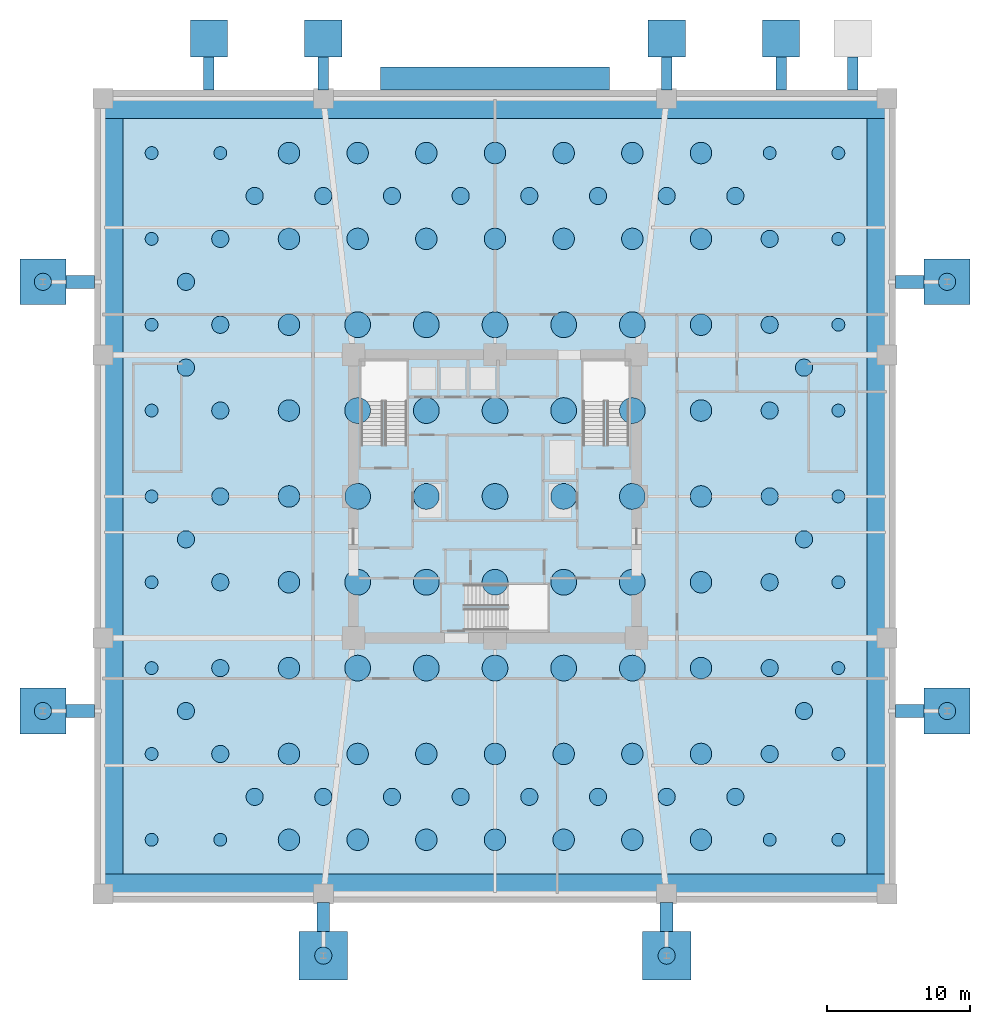
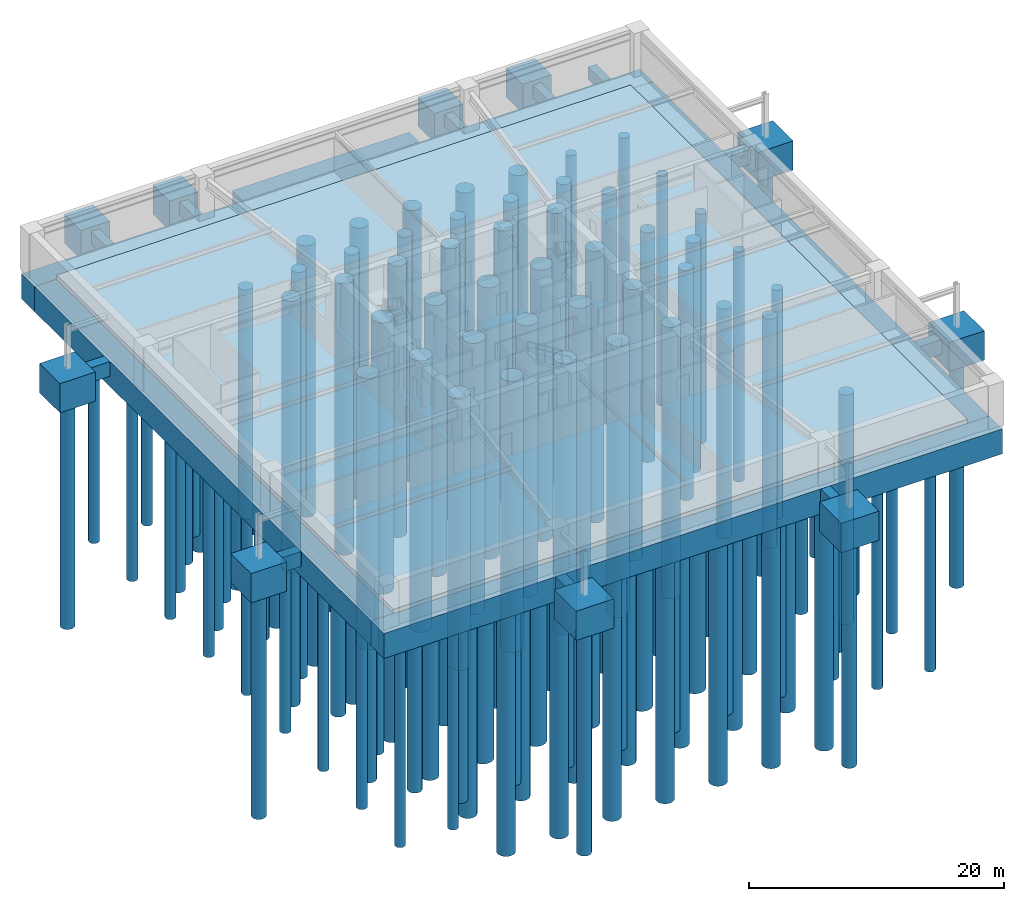
# One storey, part 1 of 8: 128 piles, 27 footings.
"""IFC4 building model written with IfcOpenShell, lengths in metres."""

from ifc_helpers import new_model, si_unit, direction, frame, origin, origin_2d, place, context, subcontext, project, spatial, polyline, circle, outline, extrude, material, material_profile, profile_set, type_object, element, save


model = new_model("IFC4")

# Units and contexts
model_context = context("Model", 3, precision=1e-05, world=origin(), true_north=direction((0.0, 1.0)))
body_context = subcontext(model_context, "Body", "Model", "MODEL_VIEW")
ifc_project = project(units=[si_unit("LENGTHUNIT", "METRE"), si_unit("AREAUNIT", "SQUARE_METRE"), si_unit("VOLUMEUNIT", "CUBIC_METRE"), si_unit("PLANEANGLEUNIT", "RADIAN"), si_unit("MASSUNIT", "GRAM", prefix="KILO")], contexts=[model_context])

# Site, building, storey
site_placement = place(None, origin())
site = spatial("IfcSite", under=ifc_project, at=site_placement, CompositionType="ELEMENT")
building_placement = place(site_placement, origin())
building = spatial("IfcBuilding", under=site, at=building_placement, Name="Kolvaren Belvedere", CompositionType="ELEMENT")
storey_placement = place(building_placement, frame((0.0, 0.0, -12.60009765625)))
storey = spatial("IfcBuildingStorey", under=building, at=storey_placement, Name="B03", CompositionType="ELEMENT", Elevation=-12.60009765625)

# Footings
ifc_material_1 = material(Name="Concrete C50/60", Category="concrete")
footing_type_1 = type_object("IfcFootingType", Name="FT-FB-750X1200", PredefinedType="FOOTING_BEAM", material=ifc_material_1)
footing_1_placement = place(storey_placement, frame((0.0, 0.0, -1.599853515625)))
element("IfcFooting", 1, at=footing_1_placement, inside=storey, type_object=footing_type_1, Name="North Foundation Tie Beam FB-N1", PredefinedType="FOOTING_BEAM", context=body_context, shape_type="SweptSolid", body=[
    extrude(outline(polyline([(-20.375, 28.39990234375), (-19.625, 28.39990234375), (-19.625, 30.699951171875), (-20.375, 30.699951171875), (-20.375, 28.39990234375)])), origin(), (0.0, 0.0, 1.0), 1.199951171875),
])
footing_2_placement = place(storey_placement, frame((0.0, 0.0, -1.599853515625)))
element("IfcFooting", 2, at=footing_2_placement, inside=storey, type_object=footing_type_1, Name="North Foundation Tie Beam FB-N2", PredefinedType="FOOTING_BEAM", context=body_context, shape_type="SweptSolid", body=[
    extrude(outline(polyline([(-12.375, 28.39990234375), (-11.625, 28.39990234375), (-11.625, 30.699951171875), (-12.375, 30.699951171875), (-12.375, 28.39990234375)])), origin(), (0.0, 0.0, 1.0), 1.199951171875),
])
footing_3_placement = place(storey_placement, frame((0.0, 0.0, -1.599853515625)))
element("IfcFooting", 3, at=footing_3_placement, inside=storey, type_object=footing_type_1, Name="North Foundation Tie Beam FB-N3", PredefinedType="FOOTING_BEAM", context=body_context, shape_type="SweptSolid", body=[
    extrude(outline(polyline([(11.625, 28.39990234375), (12.375, 28.39990234375), (12.375, 30.699951171875), (11.625, 30.699951171875), (11.625, 28.39990234375)])), origin(), (0.0, 0.0, 1.0), 1.199951171875),
])
footing_4_placement = place(storey_placement, frame((0.0, 0.0, -1.599853515625)))
element("IfcFooting", 4, at=footing_4_placement, inside=storey, type_object=footing_type_1, Name="North Foundation Tie Beam FB-N4", PredefinedType="FOOTING_BEAM", context=body_context, shape_type="SweptSolid", body=[
    extrude(outline(polyline([(19.625, 28.39990234375), (20.375, 28.39990234375), (20.375, 30.699951171875), (19.625, 30.699951171875), (19.625, 28.39990234375)])), origin(), (0.0, 0.0, 1.0), 1.199951171875),
])
footing_5_placement = place(storey_placement, frame((0.0, 0.0, -1.599853515625)))
element("IfcFooting", 5, at=footing_5_placement, inside=storey, type_object=footing_type_1, Name="North Foundation Tie Beam FB-N5", PredefinedType="FOOTING_BEAM", context=body_context, shape_type="SweptSolid", body=[
    extrude(outline(polyline([(24.625, 28.39990234375), (25.375, 28.39990234375), (25.375, 30.699951171875), (24.625, 30.699951171875), (24.625, 28.39990234375)])), origin(), (0.0, 0.0, 1.0), 1.199951171875),
])
ifc_material_2 = material(Name="Concrete C50/60", Category="concrete")
footing_type_2 = type_object("IfcFootingType", Name="FT-FB-900X1400", PredefinedType="FOOTING_BEAM", material=ifc_material_2)
footing_6_placement = place(storey_placement, frame((0.0, 0.0, -1.7998046875)))
element("IfcFooting", 6, at=footing_6_placement, inside=storey, type_object=footing_type_2, Name="Foundation Tie Beam FB-PAD-NW", PredefinedType="FOOTING_BEAM", context=body_context, shape_type="SweptSolid", body=[
    extrude(outline(polyline([(-30.0, 14.550048828125), (-28.0, 14.550048828125), (-28.0, 15.449951171875), (-30.0, 15.449951171875), (-30.0, 14.550048828125)])), origin(), (0.0, 0.0, 1.0), 1.39990234375),
])
footing_7_placement = place(storey_placement, frame((0.0, 0.0, -1.7998046875)))
element("IfcFooting", 7, at=footing_7_placement, inside=storey, type_object=footing_type_2, Name="Foundation Tie Beam FB-PAD-SW", PredefinedType="FOOTING_BEAM", context=body_context, shape_type="SweptSolid", body=[
    extrude(outline(polyline([(-30.0, -15.449951171875), (-28.0, -15.449951171875), (-28.0, -14.550048828125), (-30.0, -14.550048828125), (-30.0, -15.449951171875)])), origin(), (0.0, 0.0, 1.0), 1.39990234375),
])
footing_8_placement = place(storey_placement, frame((0.0, 0.0, -1.7998046875)))
element("IfcFooting", 8, at=footing_8_placement, inside=storey, type_object=footing_type_2, Name="Foundation Tie Beam FB-PAD-NE", PredefinedType="FOOTING_BEAM", context=body_context, shape_type="SweptSolid", body=[
    extrude(outline(polyline([(28.0, 14.550048828125), (30.0, 14.550048828125), (30.0, 15.449951171875), (28.0, 15.449951171875), (28.0, 14.550048828125)])), origin(), (0.0, 0.0, 1.0), 1.39990234375),
])
footing_9_placement = place(storey_placement, frame((0.0, 0.0, -1.7998046875)))
element("IfcFooting", 9, at=footing_9_placement, inside=storey, type_object=footing_type_2, Name="Foundation Tie Beam FB-PAD-SE", PredefinedType="FOOTING_BEAM", context=body_context, shape_type="SweptSolid", body=[
    extrude(outline(polyline([(28.0, -15.449951171875), (30.0, -15.449951171875), (30.0, -14.550048828125), (28.0, -14.550048828125), (28.0, -15.449951171875)])), origin(), (0.0, 0.0, 1.0), 1.39990234375),
])
footing_10_placement = place(storey_placement, frame((0.0, 0.0, -1.7998046875)))
element("IfcFooting", 10, at=footing_10_placement, inside=storey, type_object=footing_type_2, Name="Foundation Tie Beam FB-PAD-S1", PredefinedType="FOOTING_BEAM", context=body_context, shape_type="SweptSolid", body=[
    extrude(outline(polyline([(-12.449951171875, -30.39990234375), (-11.550048828125, -30.39990234375), (-11.550048828125, -28.39990234375), (-12.449951171875, -28.39990234375), (-12.449951171875, -30.39990234375)])), origin(), (0.0, 0.0, 1.0), 1.39990234375),
])
footing_11_placement = place(storey_placement, frame((0.0, 0.0, -1.7998046875)))
element("IfcFooting", 11, at=footing_11_placement, inside=storey, type_object=footing_type_2, Name="Foundation Tie Beam FB-PAD-S2", PredefinedType="FOOTING_BEAM", context=body_context, shape_type="SweptSolid", body=[
    extrude(outline(polyline([(11.550048828125, -30.39990234375), (12.449951171875, -30.39990234375), (12.449951171875, -28.39990234375), (11.550048828125, -28.39990234375), (11.550048828125, -30.39990234375)])), origin(), (0.0, 0.0, 1.0), 1.39990234375),
])
ifc_material_3 = material(Name="Concrete C50/60", Category="concrete")
footing_type_3 = type_object("IfcFootingType", Name="FT-MAT-2800", PredefinedType="PILE_CAP", material=ifc_material_3)
footing_12_placement = place(storey_placement, frame((0.0, 0.0, -2.7998046875)))
element("IfcFooting", 12, at=footing_12_placement, inside=storey, type_object=footing_type_3, Name="Tower Mat Raft Foundation MAT-1", PredefinedType="PILE_CAP", context=body_context, shape_type="SweptSolid", body=[
    extrude(outline(polyline([(-26.0, -26.39990234375), (26.0, -26.39990234375), (26.0, 26.39990234375), (-26.0, 26.39990234375), (-26.0, -26.39990234375)])), origin(), (0.0, 0.0, 1.0), 2.7998046875),
])
ifc_material_4 = material(Name="Concrete C50/60", Category="concrete")
footing_type_4 = type_object("IfcFootingType", Name="FT-PAD-2600", PredefinedType="PAD_FOOTING", material=ifc_material_4)
footing_13_placement = place(storey_placement, frame((0.0, 0.0, -2.7998046875)))
element("IfcFooting", 13, at=footing_13_placement, inside=storey, type_object=footing_type_4, Name="North Plaza Pad Footing N1", PredefinedType="PAD_FOOTING", context=body_context, shape_type="SweptSolid", body=[
    extrude(outline(polyline([(-21.300048828125, 30.699951171875), (-18.699951171875, 30.699951171875), (-18.699951171875, 33.300048828125), (-21.300048828125, 33.300048828125), (-21.300048828125, 30.699951171875)])), origin(), (0.0, 0.0, 1.0), 2.7998046875),
])
footing_14_placement = place(storey_placement, frame((0.0, 0.0, -2.7998046875)))
element("IfcFooting", 14, at=footing_14_placement, inside=storey, type_object=footing_type_4, Name="North Plaza Pad Footing N2", PredefinedType="PAD_FOOTING", context=body_context, shape_type="SweptSolid", body=[
    extrude(outline(polyline([(-13.300048828125, 30.699951171875), (-10.699951171875, 30.699951171875), (-10.699951171875, 33.300048828125), (-13.300048828125, 33.300048828125), (-13.300048828125, 30.699951171875)])), origin(), (0.0, 0.0, 1.0), 2.7998046875),
])
footing_15_placement = place(storey_placement, frame((0.0, 0.0, -2.7998046875)))
element("IfcFooting", 15, at=footing_15_placement, inside=storey, type_object=footing_type_4, Name="North Plaza Pad Footing N3", PredefinedType="PAD_FOOTING", context=body_context, shape_type="SweptSolid", body=[
    extrude(outline(polyline([(10.699951171875, 30.699951171875), (13.300048828125, 30.699951171875), (13.300048828125, 33.300048828125), (10.699951171875, 33.300048828125), (10.699951171875, 30.699951171875)])), origin(), (0.0, 0.0, 1.0), 2.7998046875),
])
footing_16_placement = place(storey_placement, frame((0.0, 0.0, -2.7998046875)))
element("IfcFooting", 16, at=footing_16_placement, inside=storey, type_object=footing_type_4, Name="North Plaza Pad Footing N4", PredefinedType="PAD_FOOTING", context=body_context, shape_type="SweptSolid", body=[
    extrude(outline(polyline([(18.699951171875, 30.699951171875), (21.300048828125, 30.699951171875), (21.300048828125, 33.300048828125), (18.699951171875, 33.300048828125), (18.699951171875, 30.699951171875)])), origin(), (0.0, 0.0, 1.0), 2.7998046875),
])
ifc_material_5 = material(Name="Concrete C50/60", Category="concrete")
footing_type_5 = type_object("IfcFootingType", Name="FT-PAD-3200", PredefinedType="PAD_FOOTING", material=ifc_material_5)
footing_17_placement = place(storey_placement, frame((0.0, 0.0, -2.7998046875)))
element("IfcFooting", 17, at=footing_17_placement, inside=storey, type_object=footing_type_5, Name="Exterior Portal Pad Footing PAD-NW", PredefinedType="PAD_FOOTING", context=body_context, shape_type="SweptSolid", body=[
    extrude(outline(polyline([(-33.199951171875, 13.39990234375), (-30.0, 13.39990234375), (-30.0, 16.60009765625), (-33.199951171875, 16.60009765625), (-33.199951171875, 13.39990234375)])), origin(), (0.0, 0.0, 1.0), 2.7998046875),
])
footing_18_placement = place(storey_placement, frame((0.0, 0.0, -2.7998046875)))
element("IfcFooting", 18, at=footing_18_placement, inside=storey, type_object=footing_type_5, Name="Exterior Portal Pad Footing PAD-SW", PredefinedType="PAD_FOOTING", context=body_context, shape_type="SweptSolid", body=[
    extrude(outline(polyline([(-33.199951171875, -16.60009765625), (-30.0, -16.60009765625), (-30.0, -13.39990234375), (-33.199951171875, -13.39990234375), (-33.199951171875, -16.60009765625)])), origin(), (0.0, 0.0, 1.0), 2.7998046875),
])
footing_19_placement = place(storey_placement, frame((0.0, 0.0, -2.7998046875)))
element("IfcFooting", 19, at=footing_19_placement, inside=storey, type_object=footing_type_5, Name="Exterior Portal Pad Footing PAD-NE", PredefinedType="PAD_FOOTING", context=body_context, shape_type="SweptSolid", body=[
    extrude(outline(polyline([(30.0, 13.39990234375), (33.199951171875, 13.39990234375), (33.199951171875, 16.60009765625), (30.0, 16.60009765625), (30.0, 13.39990234375)])), origin(), (0.0, 0.0, 1.0), 2.7998046875),
])
footing_20_placement = place(storey_placement, frame((0.0, 0.0, -2.7998046875)))
element("IfcFooting", 20, at=footing_20_placement, inside=storey, type_object=footing_type_5, Name="Exterior Portal Pad Footing PAD-SE", PredefinedType="PAD_FOOTING", context=body_context, shape_type="SweptSolid", body=[
    extrude(outline(polyline([(30.0, -16.60009765625), (33.199951171875, -16.60009765625), (33.199951171875, -13.39990234375), (30.0, -13.39990234375), (30.0, -16.60009765625)])), origin(), (0.0, 0.0, 1.0), 2.7998046875),
])
ifc_material_6 = material(Name="Concrete C50/60", Category="concrete")
footing_type_6 = type_object("IfcFootingType", Name="FT-PAD-3400", PredefinedType="PAD_FOOTING", material=ifc_material_6)
footing_21_placement = place(storey_placement, frame((0.0, 0.0, -2.7998046875)))
element("IfcFooting", 21, at=footing_21_placement, inside=storey, type_object=footing_type_6, Name="Exterior Portal Pad Footing PAD-S1", PredefinedType="PAD_FOOTING", context=body_context, shape_type="SweptSolid", body=[
    extrude(outline(polyline([(-13.699951171875, -33.800048828125), (-10.300048828125, -33.800048828125), (-10.300048828125, -30.39990234375), (-13.699951171875, -30.39990234375), (-13.699951171875, -33.800048828125)])), origin(), (0.0, 0.0, 1.0), 2.7998046875),
])
footing_22_placement = place(storey_placement, frame((0.0, 0.0, -2.7998046875)))
element("IfcFooting", 22, at=footing_22_placement, inside=storey, type_object=footing_type_6, Name="Exterior Portal Pad Footing PAD-S2", PredefinedType="PAD_FOOTING", context=body_context, shape_type="SweptSolid", body=[
    extrude(outline(polyline([(10.300048828125, -33.800048828125), (13.699951171875, -33.800048828125), (13.699951171875, -30.39990234375), (10.300048828125, -30.39990234375), (10.300048828125, -33.800048828125)])), origin(), (0.0, 0.0, 1.0), 2.7998046875),
])
ifc_material_7 = material(Name="Concrete C50/60", Category="concrete")
footing_type_7 = type_object("IfcFootingType", Name="FT-STRIP-2400", PredefinedType="FOOTING_BEAM", material=ifc_material_7)
footing_23_placement = place(storey_placement, frame((0.0, 0.0, -2.7998046875)))
element("IfcFooting", 23, at=footing_23_placement, inside=storey, type_object=footing_type_7, Name="Basement Perimeter Strip Footing SF-S", PredefinedType="FOOTING_BEAM", context=body_context, shape_type="SweptSolid", body=[
    extrude(outline(polyline([(-28.0, -28.39990234375), (28.0, -28.39990234375), (28.0, -26.39990234375), (-28.0, -26.39990234375), (-28.0, -28.39990234375)])), origin(), (0.0, 0.0, 1.0), 2.39990234375),
])
footing_24_placement = place(storey_placement, frame((0.0, 0.0, -2.7998046875)))
element("IfcFooting", 24, at=footing_24_placement, inside=storey, type_object=footing_type_7, Name="Basement Perimeter Strip Footing SF-N", PredefinedType="FOOTING_BEAM", context=body_context, shape_type="SweptSolid", body=[
    extrude(outline(polyline([(-28.0, 26.39990234375), (28.0, 26.39990234375), (28.0, 28.39990234375), (-28.0, 28.39990234375), (-28.0, 26.39990234375)])), origin(), (0.0, 0.0, 1.0), 2.39990234375),
])
footing_25_placement = place(storey_placement, frame((0.0, 0.0, -2.7998046875)))
element("IfcFooting", 25, at=footing_25_placement, inside=storey, type_object=footing_type_7, Name="Basement Perimeter Strip Footing SF-W", PredefinedType="FOOTING_BEAM", context=body_context, shape_type="SweptSolid", body=[
    extrude(outline(polyline([(-28.0, -26.39990234375), (-26.0, -26.39990234375), (-26.0, 26.39990234375), (-28.0, 26.39990234375), (-28.0, -26.39990234375)])), origin(), (0.0, 0.0, 1.0), 2.39990234375),
])
footing_26_placement = place(storey_placement, frame((0.0, 0.0, -2.7998046875)))
element("IfcFooting", 26, at=footing_26_placement, inside=storey, type_object=footing_type_7, Name="Basement Perimeter Strip Footing SF-E", PredefinedType="FOOTING_BEAM", context=body_context, shape_type="SweptSolid", body=[
    extrude(outline(polyline([(26.0, -26.39990234375), (28.0, -26.39990234375), (28.0, 26.39990234375), (26.0, 26.39990234375), (26.0, -26.39990234375)])), origin(), (0.0, 0.0, 1.0), 2.39990234375),
])
footing_27_placement = place(storey_placement, frame((0.0, 0.0, -2.7998046875)))
element("IfcFooting", 27, at=footing_27_placement, inside=storey, type_object=footing_type_7, Name="North Loading Apron Strip Footing SF-N2", PredefinedType="FOOTING_BEAM", context=body_context, shape_type="SweptSolid", body=[
    extrude(outline(polyline([(-8.0, 28.39990234375), (8.0, 28.39990234375), (8.0, 30.0), (-8.0, 30.0), (-8.0, 28.39990234375)])), origin(), (0.0, 0.0, 1.0), 2.39990234375),
])

# Piles
ifc_material_8 = material(Name="Concrete C45/55", Category="concrete")
ifc_material_profile_1 = material_profile(ifc_material_8, circle(Radius=0.60009765625, at=origin_2d()), Name="BORED PILE D1200")
ifc_profile_set_1 = profile_set([ifc_material_profile_1], Name="Concrete C45/55")
pile_type_1 = type_object("IfcPileType", Name="PILE-1200", PredefinedType="BORED", material=ifc_profile_set_1)
for number, where, z_axis, x_axis, name in (
    (28, (-19.199951171875, -18.0, -2.64990234375), (0.0, 0.0, -1.0), (1.0, 0.0, 0.0), "Bored Drilled Shaft PL-M-01-01"),
    (29, (-19.199951171875, -12.0, -2.64990234375), (0.0, 0.0, -1.0), (1.0, 0.0, 0.0), "Bored Drilled Shaft PL-M-01-02"),
    (30, (-19.199951171875, -6.0, -2.64990234375), (0.0, 0.0, -1.0), (1.0, 0.0, 0.0), "Bored Drilled Shaft PL-M-01-03"),
    (31, (-19.199951171875, 0.0, -2.64990234375), (0.0, 0.0, -1.0), (1.0, 0.0, 0.0), "Bored Drilled Shaft PL-M-01-04"),
    (32, (-19.199951171875, 6.0, -2.64990234375), (0.0, 0.0, -1.0), (1.0, 0.0, 0.0), "Bored Drilled Shaft PL-M-01-05"),
    (33, (-19.199951171875, 12.0, -2.64990234375), (0.0, 0.0, -1.0), (1.0, 0.0, 0.0), "Bored Drilled Shaft PL-M-01-06"),
    (34, (-19.199951171875, 18.0, -2.64990234375), (0.0, 0.0, -1.0), (1.0, 0.0, 0.0), "Bored Drilled Shaft PL-M-01-07"),
    (35, (19.199951171875, -18.0, -2.64990234375), (0.0, 0.0, -1.0), (1.0, 0.0, 0.0), "Bored Drilled Shaft PL-M-09-01"),
    (36, (19.199951171875, -12.0, -2.64990234375), (0.0, 0.0, -1.0), (1.0, 0.0, 0.0), "Bored Drilled Shaft PL-M-09-02"),
    (37, (19.199951171875, -6.0, -2.64990234375), (0.0, 0.0, -1.0), (1.0, 0.0, 0.0), "Bored Drilled Shaft PL-M-09-03"),
    (38, (19.199951171875, 0.0, -2.64990234375), (0.0, 0.0, -1.0), (1.0, 0.0, 0.0), "Bored Drilled Shaft PL-M-09-04"),
    (39, (19.199951171875, 6.0, -2.64990234375), (0.0, 0.0, -1.0), (1.0, 0.0, 0.0), "Bored Drilled Shaft PL-M-09-05"),
    (40, (19.199951171875, 12.0, -2.64990234375), (0.0, 0.0, -1.0), (1.0, 0.0, 0.0), "Bored Drilled Shaft PL-M-09-06"),
    (41, (19.199951171875, 18.0, -2.64990234375), (0.0, 0.0, -1.0), (1.0, 0.0, 0.0), "Bored Drilled Shaft PL-M-09-07"),
    (42, (-16.800048828125, -21.0, -2.64990234375), (0.0, 0.0, -1.0), (1.0, 0.0, 0.0), "Bored Drilled Shaft PL-S-01"),
    (43, (-12.0, -21.0, -2.64990234375), (0.0, 0.0, -1.0), (1.0, 0.0, 0.0), "Bored Drilled Shaft PL-S-02"),
    (44, (-7.199951171875, -21.0, -2.64990234375), (0.0, 0.0, -1.0), (1.0, 0.0, 0.0), "Bored Drilled Shaft PL-S-03"),
    (45, (-2.39990234375, -21.0, -2.64990234375), (0.0, 0.0, -1.0), (1.0, 0.0, 0.0), "Bored Drilled Shaft PL-S-04"),
    (46, (2.39990234375, -21.0, -2.64990234375), (0.0, 0.0, -1.0), (1.0, 0.0, 0.0), "Bored Drilled Shaft PL-S-05"),
    (47, (7.199951171875, -21.0, -2.64990234375), (0.0, 0.0, -1.0), (1.0, 0.0, 0.0), "Bored Drilled Shaft PL-S-06"),
    (48, (12.0, -21.0, -2.64990234375), (0.0, 0.0, -1.0), (1.0, 0.0, 0.0), "Bored Drilled Shaft PL-S-07"),
    (49, (16.800048828125, -21.0, -2.64990234375), (0.0, 0.0, -1.0), (1.0, 0.0, 0.0), "Bored Drilled Shaft PL-S-08"),
    (50, (-16.800048828125, 21.0, -2.64990234375), (0.0, 0.0, -1.0), (1.0, 0.0, 0.0), "Bored Drilled Shaft PL-S-09"),
    (51, (-12.0, 21.0, -2.64990234375), (0.0, 0.0, -1.0), (1.0, 0.0, 0.0), "Bored Drilled Shaft PL-S-10"),
    (52, (-7.199951171875, 21.0, -2.64990234375), (0.0, 0.0, -1.0), (1.0, 0.0, 0.0), "Bored Drilled Shaft PL-S-11"),
    (53, (-2.39990234375, 21.0, -2.64990234375), (0.0, 0.0, -1.0), (1.0, 0.0, 0.0), "Bored Drilled Shaft PL-S-12"),
    (54, (2.39990234375, 21.0, -2.64990234375), (0.0, 0.0, -1.0), (1.0, 0.0, 0.0), "Bored Drilled Shaft PL-S-13"),
    (55, (7.199951171875, 21.0, -2.64990234375), (0.0, 0.0, -1.0), (1.0, 0.0, 0.0), "Bored Drilled Shaft PL-S-14"),
    (56, (12.0, 21.0, -2.64990234375), (0.0, 0.0, -1.0), (1.0, 0.0, 0.0), "Bored Drilled Shaft PL-S-15"),
    (57, (16.800048828125, 21.0, -2.64990234375), (0.0, 0.0, -1.0), (1.0, 0.0, 0.0), "Bored Drilled Shaft PL-S-16"),
    (58, (-21.60009765625, -15.0, -2.64990234375), (0.0, 0.0, -1.0), (1.0, 0.0, 0.0), "Bored Drilled Shaft PL-S-17"),
    (59, (-21.60009765625, -3.0, -2.64990234375), (0.0, 0.0, -1.0), (1.0, 0.0, 0.0), "Bored Drilled Shaft PL-S-18"),
    (60, (-21.60009765625, 9.0, -2.64990234375), (0.0, 0.0, -1.0), (1.0, 0.0, 0.0), "Bored Drilled Shaft PL-S-19"),
    (61, (-21.60009765625, 15.0, -2.64990234375), (0.0, 0.0, -1.0), (1.0, 0.0, 0.0), "Bored Drilled Shaft PL-S-20"),
    (62, (21.60009765625, -15.0, -2.64990234375), (0.0, 0.0, -1.0), (1.0, 0.0, 0.0), "Bored Drilled Shaft PL-S-21"),
    (63, (21.60009765625, -3.0, -2.64990234375), (0.0, 0.0, -1.0), (1.0, 0.0, 0.0), "Bored Drilled Shaft PL-S-22"),
    (64, (21.60009765625, 9.0, -2.64990234375), (0.0, 0.0, -1.0), (1.0, 0.0, 0.0), "Bored Drilled Shaft PL-S-23"),
    (65, (-31.60009765625, 15.0, -2.64990234375), (0.0, 0.0, -1.0), (1.0, 0.0, 0.0), "Bored Drilled Shaft PL-PAD-NW"),
    (66, (-31.60009765625, -15.0, -2.64990234375), (0.0, 0.0, -1.0), (1.0, 0.0, 0.0), "Bored Drilled Shaft PL-PAD-SW"),
    (67, (31.60009765625, 15.0, -2.64990234375), (0.0, 0.0, -1.0), (1.0, 0.0, 0.0), "Bored Drilled Shaft PL-PAD-NE"),
    (68, (31.60009765625, -15.0, -2.64990234375), (0.0, 0.0, -1.0), (1.0, 0.0, 0.0), "Bored Drilled Shaft PL-PAD-SE"),
    (69, (-12.0, -32.10009765625, -2.64990234375), (0.0, 0.0, -1.0), (1.0, 0.0, 0.0), "Bored Drilled Shaft PL-PAD-S1"),
    (70, (12.0, -32.10009765625, -2.64990234375), (0.0, 0.0, -1.0), (1.0, 0.0, 0.0), "Bored Drilled Shaft PL-PAD-S2"),
):
    element("IfcPile", number, at=place(storey_placement, frame(where, z_axis=z_axis, x_axis=x_axis)), inside=storey, type_object=pile_type_1, Name=name, PredefinedType="BORED", context=body_context, shape_type="SweptSolid", body=[
        extrude(circle(Radius=0.60009765625, at=origin_2d()), origin(), (0.0, 0.0, 1.0), 22.0),
    ])
ifc_material_9 = material(Name="Concrete C45/55", Category="concrete")
ifc_material_profile_2 = material_profile(ifc_material_9, circle(Radius=0.75, at=origin_2d()), Name="BORED PILE D1500")
ifc_profile_set_2 = profile_set([ifc_material_profile_2], Name="Concrete C45/55")
pile_type_2 = type_object("IfcPileType", Name="PILE-1500", PredefinedType="BORED", material=ifc_profile_set_2)
for number, where, z_axis, x_axis, name in (
    (71, (-14.39990234375, -24.0, -2.64990234375), (0.0, 0.0, -1.0), (1.0, 0.0, 0.0), "Bored Drilled Shaft PL-M-02-00"),
    (72, (-14.39990234375, -18.0, -2.64990234375), (0.0, 0.0, -1.0), (1.0, 0.0, 0.0), "Bored Drilled Shaft PL-M-02-01"),
    (73, (-14.39990234375, -12.0, -2.64990234375), (0.0, 0.0, -1.0), (1.0, 0.0, 0.0), "Bored Drilled Shaft PL-M-02-02"),
    (74, (-14.39990234375, -6.0, -2.64990234375), (0.0, 0.0, -1.0), (1.0, 0.0, 0.0), "Bored Drilled Shaft PL-M-02-03"),
    (75, (-14.39990234375, 0.0, -2.64990234375), (0.0, 0.0, -1.0), (1.0, 0.0, 0.0), "Bored Drilled Shaft PL-M-02-04"),
    (76, (-14.39990234375, 6.0, -2.64990234375), (0.0, 0.0, -1.0), (1.0, 0.0, 0.0), "Bored Drilled Shaft PL-M-02-05"),
    (77, (-14.39990234375, 12.0, -2.64990234375), (0.0, 0.0, -1.0), (1.0, 0.0, 0.0), "Bored Drilled Shaft PL-M-02-06"),
    (78, (-14.39990234375, 18.0, -2.64990234375), (0.0, 0.0, -1.0), (1.0, 0.0, 0.0), "Bored Drilled Shaft PL-M-02-07"),
    (79, (-14.39990234375, 24.0, -2.64990234375), (0.0, 0.0, -1.0), (1.0, 0.0, 0.0), "Bored Drilled Shaft PL-M-02-08"),
    (80, (-9.60009765625, -24.0, -2.64990234375), (0.0, 0.0, -1.0), (1.0, 0.0, 0.0), "Bored Drilled Shaft PL-M-03-00"),
    (81, (-9.60009765625, -18.0, -2.64990234375), (0.0, 0.0, -1.0), (1.0, 0.0, 0.0), "Bored Drilled Shaft PL-M-03-01"),
    (82, (-9.60009765625, 18.0, -2.64990234375), (0.0, 0.0, -1.0), (1.0, 0.0, 0.0), "Bored Drilled Shaft PL-M-03-07"),
    (83, (-9.60009765625, 24.0, -2.64990234375), (0.0, 0.0, -1.0), (1.0, 0.0, 0.0), "Bored Drilled Shaft PL-M-03-08"),
    (84, (-4.800048828125, -24.0, -2.64990234375), (0.0, 0.0, -1.0), (1.0, 0.0, 0.0), "Bored Drilled Shaft PL-M-04-00"),
    (85, (-4.800048828125, -18.0, -2.64990234375), (0.0, 0.0, -1.0), (1.0, 0.0, 0.0), "Bored Drilled Shaft PL-M-04-01"),
    (86, (-4.800048828125, 18.0, -2.64990234375), (0.0, 0.0, -1.0), (1.0, 0.0, 0.0), "Bored Drilled Shaft PL-M-04-07"),
    (87, (-4.800048828125, 24.0, -2.64990234375), (0.0, 0.0, -1.0), (1.0, 0.0, 0.0), "Bored Drilled Shaft PL-M-04-08"),
    (88, (0.0, -24.0, -2.64990234375), (0.0, 0.0, -1.0), (1.0, 0.0, 0.0), "Bored Drilled Shaft PL-M-05-00"),
    (89, (0.0, -18.0, -2.64990234375), (0.0, 0.0, -1.0), (1.0, 0.0, 0.0), "Bored Drilled Shaft PL-M-05-01"),
    (90, (0.0, 18.0, -2.64990234375), (0.0, 0.0, -1.0), (1.0, 0.0, 0.0), "Bored Drilled Shaft PL-M-05-07"),
    (91, (0.0, 24.0, -2.64990234375), (0.0, 0.0, -1.0), (1.0, 0.0, 0.0), "Bored Drilled Shaft PL-M-05-08"),
    (92, (4.800048828125, -24.0, -2.64990234375), (0.0, 0.0, -1.0), (1.0, 0.0, 0.0), "Bored Drilled Shaft PL-M-06-00"),
    (93, (4.800048828125, -18.0, -2.64990234375), (0.0, 0.0, -1.0), (1.0, 0.0, 0.0), "Bored Drilled Shaft PL-M-06-01"),
    (94, (4.800048828125, 18.0, -2.64990234375), (0.0, 0.0, -1.0), (1.0, 0.0, 0.0), "Bored Drilled Shaft PL-M-06-07"),
    (95, (4.800048828125, 24.0, -2.64990234375), (0.0, 0.0, -1.0), (1.0, 0.0, 0.0), "Bored Drilled Shaft PL-M-06-08"),
    (96, (9.60009765625, -24.0, -2.64990234375), (0.0, 0.0, -1.0), (1.0, 0.0, 0.0), "Bored Drilled Shaft PL-M-07-00"),
    (97, (9.60009765625, -18.0, -2.64990234375), (0.0, 0.0, -1.0), (1.0, 0.0, 0.0), "Bored Drilled Shaft PL-M-07-01"),
    (98, (9.60009765625, 18.0, -2.64990234375), (0.0, 0.0, -1.0), (1.0, 0.0, 0.0), "Bored Drilled Shaft PL-M-07-07"),
    (99, (9.60009765625, 24.0, -2.64990234375), (0.0, 0.0, -1.0), (1.0, 0.0, 0.0), "Bored Drilled Shaft PL-M-07-08"),
    (100, (14.39990234375, -24.0, -2.64990234375), (0.0, 0.0, -1.0), (1.0, 0.0, 0.0), "Bored Drilled Shaft PL-M-08-00"),
    (101, (14.39990234375, -18.0, -2.64990234375), (0.0, 0.0, -1.0), (1.0, 0.0, 0.0), "Bored Drilled Shaft PL-M-08-01"),
    (102, (14.39990234375, -12.0, -2.64990234375), (0.0, 0.0, -1.0), (1.0, 0.0, 0.0), "Bored Drilled Shaft PL-M-08-02"),
    (103, (14.39990234375, -6.0, -2.64990234375), (0.0, 0.0, -1.0), (1.0, 0.0, 0.0), "Bored Drilled Shaft PL-M-08-03"),
    (104, (14.39990234375, 0.0, -2.64990234375), (0.0, 0.0, -1.0), (1.0, 0.0, 0.0), "Bored Drilled Shaft PL-M-08-04"),
    (105, (14.39990234375, 6.0, -2.64990234375), (0.0, 0.0, -1.0), (1.0, 0.0, 0.0), "Bored Drilled Shaft PL-M-08-05"),
    (106, (14.39990234375, 12.0, -2.64990234375), (0.0, 0.0, -1.0), (1.0, 0.0, 0.0), "Bored Drilled Shaft PL-M-08-06"),
    (107, (14.39990234375, 18.0, -2.64990234375), (0.0, 0.0, -1.0), (1.0, 0.0, 0.0), "Bored Drilled Shaft PL-M-08-07"),
    (108, (14.39990234375, 24.0, -2.64990234375), (0.0, 0.0, -1.0), (1.0, 0.0, 0.0), "Bored Drilled Shaft PL-M-08-08"),
):
    element("IfcPile", number, at=place(storey_placement, frame(where, z_axis=z_axis, x_axis=x_axis)), inside=storey, type_object=pile_type_2, Name=name, PredefinedType="BORED", context=body_context, shape_type="SweptSolid", body=[
        extrude(circle(Radius=0.75, at=origin_2d()), origin(), (0.0, 0.0, 1.0), 26.0),
    ])
ifc_material_10 = material(Name="Concrete C45/55", Category="concrete")
ifc_material_profile_3 = material_profile(ifc_material_10, circle(Radius=0.89990234375, at=origin_2d()), Name="BORED PILE D1800")
ifc_profile_set_3 = profile_set([ifc_material_profile_3], Name="Concrete C45/55")
pile_type_3 = type_object("IfcPileType", Name="PILE-1800", PredefinedType="BORED", material=ifc_profile_set_3)
for number, where, z_axis, x_axis, name in (
    (109, (-9.60009765625, -12.0, -2.64990234375), (0.0, 0.0, -1.0), (1.0, 0.0, 0.0), "Bored Drilled Shaft PL-M-03-02"),
    (110, (-9.60009765625, -6.0, -2.64990234375), (0.0, 0.0, -1.0), (1.0, 0.0, 0.0), "Bored Drilled Shaft PL-M-03-03"),
    (111, (-9.60009765625, 0.0, -2.64990234375), (0.0, 0.0, -1.0), (1.0, 0.0, 0.0), "Bored Drilled Shaft PL-M-03-04"),
    (112, (-9.60009765625, 6.0, -2.64990234375), (0.0, 0.0, -1.0), (1.0, 0.0, 0.0), "Bored Drilled Shaft PL-M-03-05"),
    (113, (-9.60009765625, 12.0, -2.64990234375), (0.0, 0.0, -1.0), (1.0, 0.0, 0.0), "Bored Drilled Shaft PL-M-03-06"),
    (114, (-4.800048828125, -12.0, -2.64990234375), (0.0, 0.0, -1.0), (1.0, 0.0, 0.0), "Bored Drilled Shaft PL-M-04-02"),
    (115, (-4.800048828125, -6.0, -2.64990234375), (0.0, 0.0, -1.0), (1.0, 0.0, 0.0), "Bored Drilled Shaft PL-M-04-03"),
    (116, (-4.800048828125, 0.0, -2.64990234375), (0.0, 0.0, -1.0), (1.0, 0.0, 0.0), "Bored Drilled Shaft PL-M-04-04"),
    (117, (-4.800048828125, 6.0, -2.64990234375), (0.0, 0.0, -1.0), (1.0, 0.0, 0.0), "Bored Drilled Shaft PL-M-04-05"),
    (118, (-4.800048828125, 12.0, -2.64990234375), (0.0, 0.0, -1.0), (1.0, 0.0, 0.0), "Bored Drilled Shaft PL-M-04-06"),
    (119, (0.0, -12.0, -2.64990234375), (0.0, 0.0, -1.0), (1.0, 0.0, 0.0), "Bored Drilled Shaft PL-M-05-02"),
    (120, (0.0, -6.0, -2.64990234375), (0.0, 0.0, -1.0), (1.0, 0.0, 0.0), "Bored Drilled Shaft PL-M-05-03"),
    (121, (0.0, 0.0, -2.64990234375), (0.0, 0.0, -1.0), (1.0, 0.0, 0.0), "Bored Drilled Shaft PL-M-05-04"),
    (122, (0.0, 6.0, -2.64990234375), (0.0, 0.0, -1.0), (1.0, 0.0, 0.0), "Bored Drilled Shaft PL-M-05-05"),
    (123, (0.0, 12.0, -2.64990234375), (0.0, 0.0, -1.0), (1.0, 0.0, 0.0), "Bored Drilled Shaft PL-M-05-06"),
    (124, (4.800048828125, -12.0, -2.64990234375), (0.0, 0.0, -1.0), (1.0, 0.0, 0.0), "Bored Drilled Shaft PL-M-06-02"),
    (125, (4.800048828125, -6.0, -2.64990234375), (0.0, 0.0, -1.0), (1.0, 0.0, 0.0), "Bored Drilled Shaft PL-M-06-03"),
    (126, (4.800048828125, 0.0, -2.64990234375), (0.0, 0.0, -1.0), (1.0, 0.0, 0.0), "Bored Drilled Shaft PL-M-06-04"),
    (127, (4.800048828125, 6.0, -2.64990234375), (0.0, 0.0, -1.0), (1.0, 0.0, 0.0), "Bored Drilled Shaft PL-M-06-05"),
    (128, (4.800048828125, 12.0, -2.64990234375), (0.0, 0.0, -1.0), (1.0, 0.0, 0.0), "Bored Drilled Shaft PL-M-06-06"),
    (129, (9.60009765625, -12.0, -2.64990234375), (0.0, 0.0, -1.0), (1.0, 0.0, 0.0), "Bored Drilled Shaft PL-M-07-02"),
    (130, (9.60009765625, -6.0, -2.64990234375), (0.0, 0.0, -1.0), (1.0, 0.0, 0.0), "Bored Drilled Shaft PL-M-07-03"),
    (131, (9.60009765625, 0.0, -2.64990234375), (0.0, 0.0, -1.0), (1.0, 0.0, 0.0), "Bored Drilled Shaft PL-M-07-04"),
    (132, (9.60009765625, 6.0, -2.64990234375), (0.0, 0.0, -1.0), (1.0, 0.0, 0.0), "Bored Drilled Shaft PL-M-07-05"),
    (133, (9.60009765625, 12.0, -2.64990234375), (0.0, 0.0, -1.0), (1.0, 0.0, 0.0), "Bored Drilled Shaft PL-M-07-06"),
):
    element("IfcPile", number, at=place(storey_placement, frame(where, z_axis=z_axis, x_axis=x_axis)), inside=storey, type_object=pile_type_3, Name=name, PredefinedType="BORED", context=body_context, shape_type="SweptSolid", body=[
        extrude(circle(Radius=0.89990234375, at=origin_2d()), origin(), (0.0, 0.0, 1.0), 26.0),
    ])
ifc_material_11 = material(Name="Concrete C45/55", Category="concrete")
ifc_material_profile_4 = material_profile(ifc_material_11, circle(Radius=0.449951171875, at=origin_2d()), Name="BORED PILE D900")
ifc_profile_set_4 = profile_set([ifc_material_profile_4], Name="Concrete C45/55")
pile_type_4 = type_object("IfcPileType", Name="PILE-900", PredefinedType="BORED", material=ifc_profile_set_4)
for number, where, z_axis, x_axis, name in (
    (134, (-24.0, -24.0, -2.64990234375), (0.0, 0.0, -1.0), (1.0, 0.0, 0.0), "Bored Drilled Shaft PL-M-00-00"),
    (135, (-24.0, -18.0, -2.64990234375), (0.0, 0.0, -1.0), (1.0, 0.0, 0.0), "Bored Drilled Shaft PL-M-00-01"),
    (136, (-24.0, -12.0, -2.64990234375), (0.0, 0.0, -1.0), (1.0, 0.0, 0.0), "Bored Drilled Shaft PL-M-00-02"),
    (137, (-24.0, -6.0, -2.64990234375), (0.0, 0.0, -1.0), (1.0, 0.0, 0.0), "Bored Drilled Shaft PL-M-00-03"),
    (138, (-24.0, 0.0, -2.64990234375), (0.0, 0.0, -1.0), (1.0, 0.0, 0.0), "Bored Drilled Shaft PL-M-00-04"),
    (139, (-24.0, 6.0, -2.64990234375), (0.0, 0.0, -1.0), (1.0, 0.0, 0.0), "Bored Drilled Shaft PL-M-00-05"),
    (140, (-24.0, 12.0, -2.64990234375), (0.0, 0.0, -1.0), (1.0, 0.0, 0.0), "Bored Drilled Shaft PL-M-00-06"),
    (141, (-24.0, 18.0, -2.64990234375), (0.0, 0.0, -1.0), (1.0, 0.0, 0.0), "Bored Drilled Shaft PL-M-00-07"),
    (142, (-24.0, 24.0, -2.64990234375), (0.0, 0.0, -1.0), (1.0, 0.0, 0.0), "Bored Drilled Shaft PL-M-00-08"),
    (143, (-19.199951171875, -24.0, -2.64990234375), (0.0, 0.0, -1.0), (1.0, 0.0, 0.0), "Bored Drilled Shaft PL-M-01-00"),
    (144, (-19.199951171875, 24.0, -2.64990234375), (0.0, 0.0, -1.0), (1.0, 0.0, 0.0), "Bored Drilled Shaft PL-M-01-08"),
    (145, (19.199951171875, -24.0, -2.64990234375), (0.0, 0.0, -1.0), (1.0, 0.0, 0.0), "Bored Drilled Shaft PL-M-09-00"),
    (146, (19.199951171875, 24.0, -2.64990234375), (0.0, 0.0, -1.0), (1.0, 0.0, 0.0), "Bored Drilled Shaft PL-M-09-08"),
    (147, (24.0, -24.0, -2.64990234375), (0.0, 0.0, -1.0), (1.0, 0.0, 0.0), "Bored Drilled Shaft PL-M-10-00"),
    (148, (24.0, -18.0, -2.64990234375), (0.0, 0.0, -1.0), (1.0, 0.0, 0.0), "Bored Drilled Shaft PL-M-10-01"),
    (149, (24.0, -12.0, -2.64990234375), (0.0, 0.0, -1.0), (1.0, 0.0, 0.0), "Bored Drilled Shaft PL-M-10-02"),
    (150, (24.0, -6.0, -2.64990234375), (0.0, 0.0, -1.0), (1.0, 0.0, 0.0), "Bored Drilled Shaft PL-M-10-03"),
    (151, (24.0, 0.0, -2.64990234375), (0.0, 0.0, -1.0), (1.0, 0.0, 0.0), "Bored Drilled Shaft PL-M-10-04"),
    (152, (24.0, 6.0, -2.64990234375), (0.0, 0.0, -1.0), (1.0, 0.0, 0.0), "Bored Drilled Shaft PL-M-10-05"),
    (153, (24.0, 12.0, -2.64990234375), (0.0, 0.0, -1.0), (1.0, 0.0, 0.0), "Bored Drilled Shaft PL-M-10-06"),
    (154, (24.0, 18.0, -2.64990234375), (0.0, 0.0, -1.0), (1.0, 0.0, 0.0), "Bored Drilled Shaft PL-M-10-07"),
    (155, (24.0, 24.0, -2.64990234375), (0.0, 0.0, -1.0), (1.0, 0.0, 0.0), "Bored Drilled Shaft PL-M-10-08"),
):
    element("IfcPile", number, at=place(storey_placement, frame(where, z_axis=z_axis, x_axis=x_axis)), inside=storey, type_object=pile_type_4, Name=name, PredefinedType="BORED", context=body_context, shape_type="SweptSolid", body=[
        extrude(circle(Radius=0.449951171875, at=origin_2d()), origin(), (0.0, 0.0, 1.0), 22.0),
    ])

save(model, "model.ifc")
